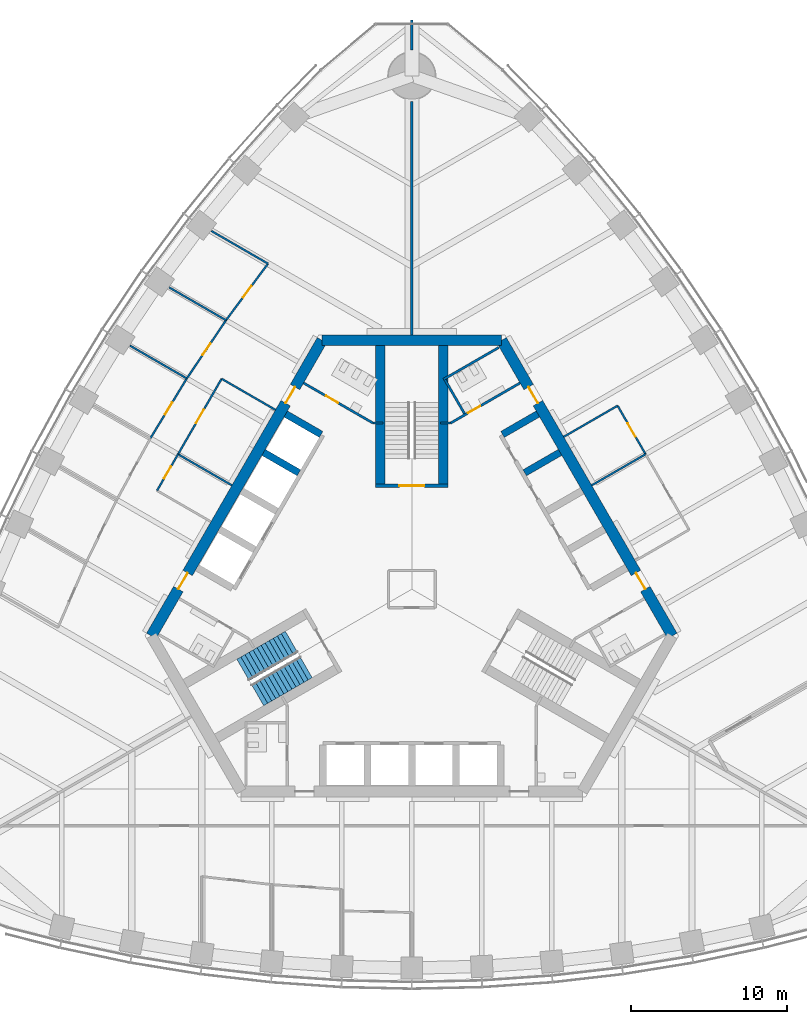
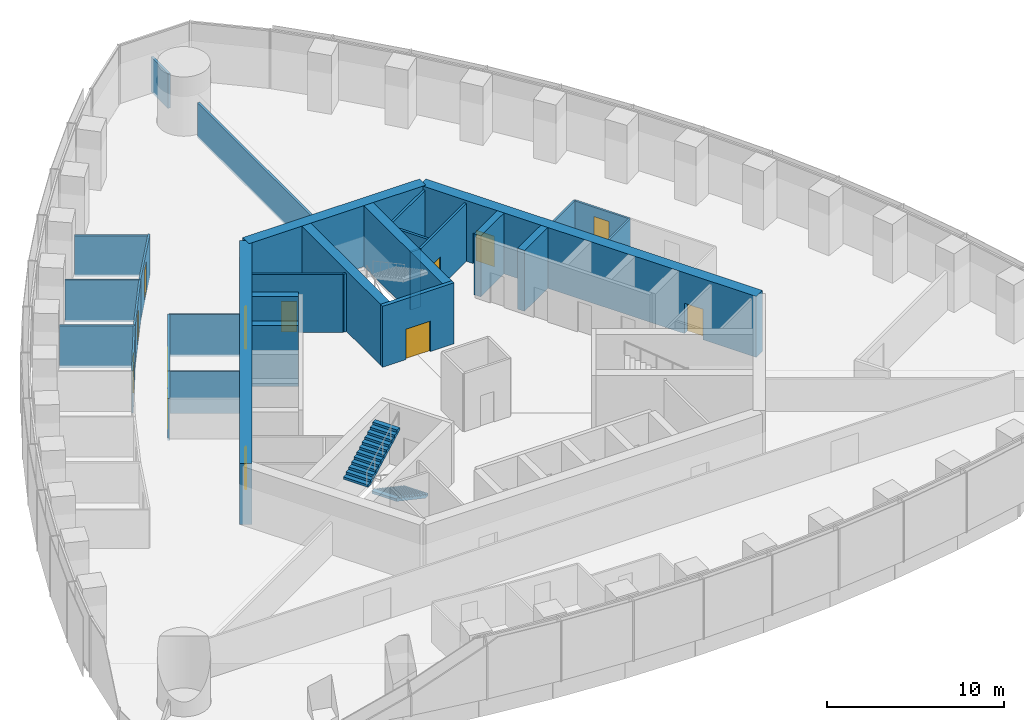
# One storey, part 13 of 19: 31 walls, 13 doors, 2 stair flights, 13 openings, 1 element without a shape of its own.
"""IFC4 building model written with IfcOpenShell, lengths in metres."""

from ifc_helpers import new_model, si_unit, direction, frame, frame_2d, origin, place, context, subcontext, project, spatial, polyline, rectangle, outline, extrude, material, layer, layer_set, type_object, element, fill, aggregate, save


model = new_model("IFC4")

# Units and contexts
model_context = context("Model", 3, precision=1e-05, world=origin(), true_north=direction((0.0, 1.0)))
body_context = subcontext(model_context, "Body", "Model", "MODEL_VIEW")
ifc_project = project(units=[si_unit("LENGTHUNIT", "METRE"), si_unit("AREAUNIT", "SQUARE_METRE"), si_unit("VOLUMEUNIT", "CUBIC_METRE"), si_unit("PLANEANGLEUNIT", "RADIAN"), si_unit("MASSUNIT", "GRAM", prefix="KILO")], contexts=[model_context])

# Site, building, storey
site_placement = place(None, origin())
site = spatial("IfcSite", under=ifc_project, at=site_placement, CompositionType="ELEMENT")
building_placement = place(site_placement, origin())
building = spatial("IfcBuilding", under=site, at=building_placement, Name="Trefoil Bronze Tower", CompositionType="ELEMENT")
storey_placement = place(building_placement, frame((0.0, 0.0, 248.5)))
storey = spatial("IfcBuildingStorey", under=building, at=storey_placement, Name="L57", CompositionType="ELEMENT", Elevation=248.5)

# Wall, openings, doors
ifc_material_1 = material(Name="Concrete B80", Category="concrete")
ifc_layer_1 = layer(ifc_material_1, 0.699951171875)
ifc_layer_set_1 = layer_set([ifc_layer_1], Name="Core wall 700")
wall_type_1 = type_object("IfcWallType", Name="Core wall 700", PredefinedType="SHEAR", material=ifc_layer_set_1)
wall_1_placement = place(storey_placement, frame((16.7431640625, -3.0, 0.0), z_axis=(0.0, 0.0, 1.0), x_axis=(-0.500002442456, 0.866023993627, 0.0)))
wall_1 = element("IfcWall", 1, at=wall_1_placement, inside=storey, type_object=wall_type_1, Name="Core long wall 2 L57", PredefinedType="SHEAR", context=body_context, shape_type="SweptSolid", body=[
    extrude(rectangle(XDim=21.939453125, YDim=0.699951171875, at=frame_2d((10.9697265625, 0.0))), origin(), (0.0, 0.0, 1.0), 4.199951171875),
])
opening_1_placement = place(wall_1_placement, frame((17.269775390625, 0.0, 0.0)))
opening_1 = element("IfcOpeningElement", 2, at=opening_1_placement, cuts=wall_1, Name="Opening D2", PredefinedType="OPENING", context=body_context, shape_type="SweptSolid", body=[
    extrude(rectangle(XDim=1.199951171875, YDim=2.10009765625, at=frame_2d((0.60009765625, 1.050048828125))), frame((0.0, 0.35986328125, 0.0), z_axis=(0.0, -1.0, 0.0), x_axis=(1.0, 0.0, 0.0)), (0.0, 0.0, 1.0), 0.719970703125),
])
opening_2_placement = place(wall_1_placement, frame((3.4697265625, 0.0, 0.0)))
opening_2 = element("IfcOpeningElement", 3, at=opening_2_placement, cuts=wall_1, Name="Opening D2", PredefinedType="OPENING", context=body_context, shape_type="SweptSolid", body=[
    extrude(rectangle(XDim=1.199951171875, YDim=2.10009765625, at=frame_2d((0.60009765625, 1.050048828125))), frame((0.0, 0.35986328125, 0.0), z_axis=(0.0, -1.0, 0.0), x_axis=(1.0, 0.0, 0.0)), (0.0, 0.0, 1.0), 0.719970703125),
])
ifc_material_2 = material(Name="Steel door", Category="steel")
door_type_1 = type_object("IfcDoorType", Name="Lobby door 1200", OperationType="SINGLE_SWING_RIGHT", PredefinedType="DOOR", material=ifc_material_2)
door_1_placement = place(opening_1_placement, origin())
door_1 = element("IfcDoor", 4, at=door_1_placement, inside=storey, type_object=door_type_1, Name="Lobby door F2+ L57", OperationType="SINGLE_SWING_RIGHT", OverallHeight=2.10009765625, OverallWidth=1.199951171875, PredefinedType="DOOR", context=body_context, shape_type="SweptSolid", body=[
    extrude(rectangle(XDim=1.199951171875, YDim=2.10009765625, at=frame_2d((0.60009765625, 1.050048828125))), frame((0.0, 0.02490234375, 0.0), z_axis=(0.0, -1.0, 0.0), x_axis=(1.0, 0.0, 0.0)), (0.0, 0.0, 1.0), 0.050048828125),
])
fill(opening_1, door_1)
door_2_placement = place(opening_2_placement, origin())
door_2 = element("IfcDoor", 5, at=door_2_placement, inside=storey, type_object=door_type_1, Name="Lobby door F2- L57", OperationType="SINGLE_SWING_LEFT", OverallHeight=2.10009765625, OverallWidth=1.199951171875, PredefinedType="DOOR", context=body_context, shape_type="SweptSolid", body=[
    extrude(rectangle(XDim=1.199951171875, YDim=2.10009765625, at=frame_2d((0.60009765625, 1.050048828125))), frame((0.0, 0.02490234375, 0.0), z_axis=(0.0, -1.0, 0.0), x_axis=(1.0, 0.0, 0.0)), (0.0, 0.0, 1.0), 0.050048828125),
])
fill(opening_2, door_2)

# Wall
wall_2_placement = place(storey_placement, frame((5.7734375, 16.0, 0.0), z_axis=(0.0, 0.0, 1.0), x_axis=(-1.0, 0.0, 0.0)))
element("IfcWall", 6, at=wall_2_placement, inside=storey, type_object=wall_type_1, Name="Core short wall 2 L57", PredefinedType="SHEAR", context=body_context, shape_type="SweptSolid", body=[
    extrude(rectangle(XDim=11.546875, YDim=0.699951171875, at=frame_2d((5.7734375, 0.0))), origin(), (0.0, 0.0, 1.0), 4.199951171875),
])

# Wall, openings, doors
wall_3_placement = place(storey_placement, frame((-5.7734375, 16.0, 0.0), z_axis=(0.0, 0.0, 1.0), x_axis=(-0.500002442456, -0.866023993627, 0.0)))
wall_3 = element("IfcWall", 7, at=wall_3_placement, inside=storey, type_object=wall_type_1, Name="Core long wall 3 L57", PredefinedType="SHEAR", context=body_context, shape_type="SweptSolid", body=[
    extrude(rectangle(XDim=21.939453125, YDim=0.699951171875, at=frame_2d((10.9697265625, 0.0))), origin(), (0.0, 0.0, 1.0), 4.199951171875),
])
opening_3_placement = place(wall_3_placement, frame((17.269775390625, 0.0, 0.0)))
opening_3 = element("IfcOpeningElement", 8, at=opening_3_placement, cuts=wall_3, Name="Opening D2", PredefinedType="OPENING", context=body_context, shape_type="SweptSolid", body=[
    extrude(rectangle(XDim=1.199951171875, YDim=2.10009765625, at=frame_2d((0.60009765625, 1.050048828125))), frame((0.0, 0.35986328125, 0.0), z_axis=(0.0, -1.0, 0.0), x_axis=(1.0, 0.0, 0.0)), (0.0, 0.0, 1.0), 0.719970703125),
])
opening_4_placement = place(wall_3_placement, frame((3.4697265625, 0.0, 0.0)))
opening_4 = element("IfcOpeningElement", 9, at=opening_4_placement, cuts=wall_3, Name="Opening D2", PredefinedType="OPENING", context=body_context, shape_type="SweptSolid", body=[
    extrude(rectangle(XDim=1.199951171875, YDim=2.10009765625, at=frame_2d((0.60009765625, 1.050048828125))), frame((0.0, 0.35986328125, 0.0), z_axis=(0.0, -1.0, 0.0), x_axis=(1.0, 0.0, 0.0)), (0.0, 0.0, 1.0), 0.719970703125),
])
door_3_placement = place(opening_3_placement, origin())
door_3 = element("IfcDoor", 10, at=door_3_placement, inside=storey, type_object=door_type_1, Name="Lobby door F3+ L57", OperationType="SINGLE_SWING_RIGHT", OverallHeight=2.10009765625, OverallWidth=1.199951171875, PredefinedType="DOOR", context=body_context, shape_type="SweptSolid", body=[
    extrude(rectangle(XDim=1.199951171875, YDim=2.10009765625, at=frame_2d((0.60009765625, 1.050048828125))), frame((0.0, 0.02490234375, 0.0), z_axis=(0.0, -1.0, 0.0), x_axis=(1.0, 0.0, 0.0)), (0.0, 0.0, 1.0), 0.050048828125),
])
fill(opening_3, door_3)
door_4_placement = place(opening_4_placement, origin())
door_4 = element("IfcDoor", 11, at=door_4_placement, inside=storey, type_object=door_type_1, Name="Lobby door F3- L57", OperationType="SINGLE_SWING_LEFT", OverallHeight=2.10009765625, OverallWidth=1.199951171875, PredefinedType="DOOR", context=body_context, shape_type="SweptSolid", body=[
    extrude(rectangle(XDim=1.199951171875, YDim=2.10009765625, at=frame_2d((0.60009765625, 1.050048828125))), frame((0.0, 0.02490234375, 0.0), z_axis=(0.0, -1.0, 0.0), x_axis=(1.0, 0.0, 0.0)), (0.0, 0.0, 1.0), 0.050048828125),
])
fill(opening_4, door_4)

# Wall, opening, door
ifc_material_3 = material(Name="Glazed partition", Category="glass")
ifc_layer_2 = layer(ifc_material_3, 0.1201171875)
ifc_layer_set_2 = layer_set([ifc_layer_2], Name="Glazed partition 120")
wall_type_2 = type_object("IfcWallType", Name="Glazed partition 120", PredefinedType="PARTITIONING", material=ifc_layer_set_2)
wall_4_placement = place(storey_placement, frame((15.025634765625, 8.675048828125, 0.0), z_axis=(0.0, 0.0, 1.0), x_axis=(-0.500012057535, 0.866018442252, 0.0)))
wall_4 = element("IfcWall", 12, at=wall_4_placement, inside=storey, type_object=wall_type_2, Name="Partition F2 L57", PredefinedType="PARTITIONING", context=body_context, shape_type="SweptSolid", body=[
    extrude(rectangle(XDim=3.60009765625, YDim=0.1201171875, at=frame_2d((1.800048828125, 0.0))), origin(), (0.0, 0.0, 1.0), 2.89990234375),
])
opening_5_placement = place(wall_4_placement, frame((1.300048828125, 0.0, 0.14990234375)))
opening_5 = element("IfcOpeningElement", 13, at=opening_5_placement, cuts=wall_4, Name="Opening D9", PredefinedType="OPENING", context=body_context, shape_type="SweptSolid", body=[
    extrude(rectangle(XDim=1.0, YDim=2.10009765625, at=frame_2d((0.5, 1.050048828125))), frame((0.0, 0.070068359375, 0.0), z_axis=(0.0, -1.0, 0.0), x_axis=(1.0, 0.0, 0.0)), (0.0, 0.0, 1.0), 0.14013671875),
])
ifc_material_4 = material(Name="Glazed timber door", Category="wood")
door_type_2 = type_object("IfcDoorType", Name="Meeting room door 1000", OperationType="SINGLE_SWING_LEFT", PredefinedType="DOOR", material=ifc_material_4)
door_5_placement = place(opening_5_placement, origin())
door_5 = element("IfcDoor", 14, at=door_5_placement, inside=storey, type_object=door_type_2, Name="Meeting room door F2 L57", OperationType="SINGLE_SWING_LEFT", OverallHeight=2.10009765625, OverallWidth=1.0, PredefinedType="DOOR", context=body_context, shape_type="SweptSolid", body=[
    extrude(rectangle(XDim=1.0, YDim=2.10009765625, at=frame_2d((0.5, 1.050048828125))), frame((0.0, 0.02490234375, 0.0), z_axis=(0.0, -1.0, 0.0), x_axis=(1.0, 0.0, 0.0)), (0.0, 0.0, 1.0), 0.050048828125),
])
fill(opening_5, door_5)

# Walls
for number, where, z_axis, x_axis, name in (
    (15, (9.761474609375, 9.792724609375, 0.0), (0.0, 0.0, 1.0), (0.866026010844, 0.49999894854, 0.0), "Partition F2 L57"),
    (16, (11.5615234375, 6.675048828125, 0.0), (0.0, 0.0, 1.0), (0.866026010844, 0.49999894854, 0.0), "Partition F2 L57"),
):
    element("IfcWall", number, at=place(storey_placement, frame(where, z_axis=z_axis, x_axis=x_axis)), inside=storey, type_object=wall_type_2, Name=name, PredefinedType="PARTITIONING", context=body_context, shape_type="SweptSolid", body=[
        extrude(rectangle(XDim=4.0, YDim=0.1201171875, at=frame_2d((2.0, 0.0))), origin(), (0.0, 0.0, 1.0), 2.89990234375),
    ])

# Wall, opening, door
wall_5_placement = place(storey_placement, frame((-15.025634765625, 8.675048828125, 0.0), z_axis=(0.0, 0.0, 1.0), x_axis=(-0.4999416173, -0.866059108428, 0.0)))
wall_5 = element("IfcWall", 17, at=wall_5_placement, inside=storey, type_object=wall_type_2, Name="Partition F3 L57", PredefinedType="PARTITIONING", context=body_context, shape_type="SweptSolid", body=[
    extrude(rectangle(XDim=2.699951171875, YDim=0.1201171875, at=frame_2d((1.35009765625, 0.0))), origin(), (0.0, 0.0, 1.0), 2.89990234375),
])
opening_6_placement = place(wall_5_placement, frame((0.89990234375, 0.0, 0.14990234375)))
opening_6 = element("IfcOpeningElement", 18, at=opening_6_placement, cuts=wall_5, Name="Opening D8", PredefinedType="OPENING", context=body_context, shape_type="SweptSolid", body=[
    extrude(rectangle(XDim=0.89990234375, YDim=2.10009765625, at=frame_2d((0.449951171875, 1.050048828125))), frame((0.0, 0.070068359375, 0.0), z_axis=(0.0, -1.0, 0.0), x_axis=(1.0, 0.0, 0.0)), (0.0, 0.0, 1.0), 0.14013671875),
])
ifc_material_5 = material(Name="Timber door", Category="wood")
door_type_3 = type_object("IfcDoorType", Name="Office door 900", OperationType="SINGLE_SWING_LEFT", PredefinedType="DOOR", material=ifc_material_5)
door_6_placement = place(opening_6_placement, origin())
door_6 = element("IfcDoor", 19, at=door_6_placement, inside=storey, type_object=door_type_3, Name="Pantry door F3 L57", OperationType="SINGLE_SWING_RIGHT", OverallHeight=2.10009765625, OverallWidth=0.89990234375, PredefinedType="DOOR", context=body_context, shape_type="SweptSolid", body=[
    extrude(rectangle(XDim=0.89990234375, YDim=2.10009765625, at=frame_2d((0.449951171875, 1.050048828125))), frame((0.0, 0.02490234375, 0.0), z_axis=(0.0, -1.0, 0.0), x_axis=(1.0, 0.0, 0.0)), (0.0, 0.0, 1.0), 0.050048828125),
])
fill(opening_6, door_6)

wall_6_placement = place(storey_placement, frame((-12.2255859375, 13.524658203125, 0.0), z_axis=(0.0, 0.0, 1.0), x_axis=(-0.500016814911, -0.866015695474, 0.0)))
wall_6 = element("IfcWall", 20, at=wall_6_placement, inside=storey, type_object=wall_type_2, Name="Partition F3 L57", PredefinedType="PARTITIONING", context=body_context, shape_type="SweptSolid", body=[
    extrude(rectangle(XDim=5.599853515625, YDim=0.1201171875, at=frame_2d((2.7998046875, 0.0))), origin(), (0.0, 0.0, 1.0), 2.89990234375),
])
opening_7_placement = place(wall_6_placement, frame((2.300048828125, 0.0, 0.14990234375)))
opening_7 = element("IfcOpeningElement", 21, at=opening_7_placement, cuts=wall_6, Name="Opening D9", PredefinedType="OPENING", context=body_context, shape_type="SweptSolid", body=[
    extrude(rectangle(XDim=1.0, YDim=2.10009765625, at=frame_2d((0.5, 1.050048828125))), frame((0.0, 0.070068359375, 0.0), z_axis=(0.0, -1.0, 0.0), x_axis=(1.0, 0.0, 0.0)), (0.0, 0.0, 1.0), 0.14013671875),
])
door_7_placement = place(opening_7_placement, origin())
door_7 = element("IfcDoor", 22, at=door_7_placement, inside=storey, type_object=door_type_2, Name="Meeting room door F3 L57", OperationType="SINGLE_SWING_RIGHT", OverallHeight=2.10009765625, OverallWidth=1.0, PredefinedType="DOOR", context=body_context, shape_type="SweptSolid", body=[
    extrude(rectangle(XDim=1.0, YDim=2.10009765625, at=frame_2d((0.5, 1.050048828125))), frame((0.0, 0.02490234375, 0.0), z_axis=(0.0, -1.0, 0.0), x_axis=(1.0, 0.0, 0.0)), (0.0, 0.0, 1.0), 0.050048828125),
])
fill(opening_7, door_7)

# Walls
for number, where, z_axis, x_axis, name in (
    (23, (-11.5615234375, 6.675048828125, 0.0), (0.0, 0.0, 1.0), (-0.866026010844, 0.49999894854, 0.0), "Partition F3 L57"),
    (24, (-8.761474609375, 11.524658203125, 0.0), (0.0, 0.0, 1.0), (-0.866026010844, 0.49999894854, 0.0), "Partition F3 L57"),
):
    element("IfcWall", number, at=place(storey_placement, frame(where, z_axis=z_axis, x_axis=x_axis)), inside=storey, type_object=wall_type_2, Name=name, PredefinedType="PARTITIONING", context=body_context, shape_type="SweptSolid", body=[
        extrude(rectangle(XDim=4.0, YDim=0.1201171875, at=frame_2d((2.0, 0.0))), origin(), (0.0, 0.0, 1.0), 2.89990234375),
    ])

# Wall, opening, door
wall_7_placement = place(storey_placement, frame((-9.2421875, 20.92431640625, 0.0), z_axis=(0.0, 0.0, 1.0), x_axis=(-0.59613842716, -0.802881669777, 0.0)))
wall_7 = element("IfcWall", 25, at=wall_7_placement, inside=storey, type_object=wall_type_2, Name="Partition F3 L57", PredefinedType="PARTITIONING", context=body_context, shape_type="SweptSolid", body=[
    extrude(rectangle(XDim=4.52978515625, YDim=0.1201171875, at=frame_2d((2.264892578125, 0.0))), origin(), (0.0, 0.0, 1.0), 2.89990234375),
])
opening_8_placement = place(wall_7_placement, frame((1.800048828125, 0.0, 0.14990234375)))
opening_8 = element("IfcOpeningElement", 26, at=opening_8_placement, cuts=wall_7, Name="Opening D8", PredefinedType="OPENING", context=body_context, shape_type="SweptSolid", body=[
    extrude(rectangle(XDim=0.89990234375, YDim=2.10009765625, at=frame_2d((0.449951171875, 1.050048828125))), frame((0.0, 0.070068359375, 0.0), z_axis=(0.0, -1.0, 0.0), x_axis=(1.0, 0.0, 0.0)), (0.0, 0.0, 1.0), 0.14013671875),
])
door_8_placement = place(opening_8_placement, frame((0.89990234375, 0.0, 0.0), z_axis=(0.0, 0.0, 1.0), x_axis=(-1.0, 0.0, 0.0)))
door_8 = element("IfcDoor", 27, at=door_8_placement, inside=storey, type_object=door_type_3, Name="Office door F3 L57", OperationType="SINGLE_SWING_RIGHT", OverallHeight=2.10009765625, OverallWidth=0.89990234375, PredefinedType="DOOR", context=body_context, shape_type="SweptSolid", body=[
    extrude(rectangle(XDim=0.89990234375, YDim=2.10009765625, at=frame_2d((0.449951171875, 1.050048828125))), frame((0.0, 0.02490234375, 0.0), z_axis=(0.0, -1.0, 0.0), x_axis=(1.0, 0.0, 0.0)), (0.0, 0.0, 1.0), 0.050048828125),
])
fill(opening_8, door_8)

wall_8_placement = place(storey_placement, frame((-14.4619140625, 13.545654296875, 0.0), z_axis=(0.0, 0.0, 1.0), x_axis=(-0.519790350351, -0.85429385558, 0.0)))
wall_8 = element("IfcWall", 28, at=wall_8_placement, inside=storey, type_object=wall_type_2, Name="Partition F3 L57", PredefinedType="PARTITIONING", context=body_context, shape_type="SweptSolid", body=[
    extrude(rectangle(XDim=4.5009765625, YDim=0.1201171875, at=frame_2d((2.25048828125, 0.0))), origin(), (0.0, 0.0, 1.0), 2.89990234375),
])
opening_9_placement = place(wall_8_placement, frame((1.800048828125, 0.0, 0.14990234375)))
opening_9 = element("IfcOpeningElement", 29, at=opening_9_placement, cuts=wall_8, Name="Opening D8", PredefinedType="OPENING", context=body_context, shape_type="SweptSolid", body=[
    extrude(rectangle(XDim=0.89990234375, YDim=2.10009765625, at=frame_2d((0.449951171875, 1.050048828125))), frame((0.0, 0.070068359375, 0.0), z_axis=(0.0, -1.0, 0.0), x_axis=(1.0, 0.0, 0.0)), (0.0, 0.0, 1.0), 0.14013671875),
])
door_9_placement = place(opening_9_placement, frame((0.89990234375, 0.0, 0.0), z_axis=(0.0, 0.0, 1.0), x_axis=(-1.0, 0.0, 0.0)))
door_9 = element("IfcDoor", 30, at=door_9_placement, inside=storey, type_object=door_type_3, Name="Office door F3 L57", OperationType="SINGLE_SWING_RIGHT", OverallHeight=2.10009765625, OverallWidth=0.89990234375, PredefinedType="DOOR", context=body_context, shape_type="SweptSolid", body=[
    extrude(rectangle(XDim=0.89990234375, YDim=2.10009765625, at=frame_2d((0.449951171875, 1.050048828125))), frame((0.0, 0.02490234375, 0.0), z_axis=(0.0, -1.0, 0.0), x_axis=(1.0, 0.0, 0.0)), (0.0, 0.0, 1.0), 0.050048828125),
])
fill(opening_9, door_9)

wall_9_placement = place(storey_placement, frame((-11.942626953125, 17.287353515625, 0.0), z_axis=(0.0, 0.0, 1.0), x_axis=(-0.55850386778, -0.829501916619, 0.0)))
wall_9 = element("IfcWall", 31, at=wall_9_placement, inside=storey, type_object=wall_type_2, Name="Partition F3 L57", PredefinedType="PARTITIONING", context=body_context, shape_type="SweptSolid", body=[
    extrude(rectangle(XDim=4.5107421875, YDim=0.1201171875, at=frame_2d((2.25537109375, 0.0))), origin(), (0.0, 0.0, 1.0), 2.89990234375),
])
opening_10_placement = place(wall_9_placement, frame((1.800048828125, 0.0, 0.14990234375)))
opening_10 = element("IfcOpeningElement", 32, at=opening_10_placement, cuts=wall_9, Name="Opening D8", PredefinedType="OPENING", context=body_context, shape_type="SweptSolid", body=[
    extrude(rectangle(XDim=0.89990234375, YDim=2.10009765625, at=frame_2d((0.449951171875, 1.050048828125))), frame((0.0, 0.070068359375, 0.0), z_axis=(0.0, -1.0, 0.0), x_axis=(1.0, 0.0, 0.0)), (0.0, 0.0, 1.0), 0.14013671875),
])
door_10_placement = place(opening_10_placement, frame((0.89990234375, 0.0, 0.0), z_axis=(0.0, 0.0, 1.0), x_axis=(-1.0, 0.0, 0.0)))
door_10 = element("IfcDoor", 33, at=door_10_placement, inside=storey, type_object=door_type_3, Name="Office door F3 L57", OperationType="SINGLE_SWING_RIGHT", OverallHeight=2.10009765625, OverallWidth=0.89990234375, PredefinedType="DOOR", context=body_context, shape_type="SweptSolid", body=[
    extrude(rectangle(XDim=0.89990234375, YDim=2.10009765625, at=frame_2d((0.449951171875, 1.050048828125))), frame((0.0, 0.02490234375, 0.0), z_axis=(0.0, -1.0, 0.0), x_axis=(1.0, 0.0, 0.0)), (0.0, 0.0, 1.0), 0.050048828125),
])
fill(opening_10, door_10)

# Walls
wall_10_placement = place(storey_placement, frame((-9.2421875, 20.92431640625, 0.0), z_axis=(0.0, 0.0, 1.0), x_axis=(-0.866008660113, 0.500028999769, 0.0)))
element("IfcWall", 34, at=wall_10_placement, inside=storey, type_object=wall_type_2, Name="Partition F3 L57", PredefinedType="PARTITIONING", context=body_context, shape_type="SweptSolid", body=[
    extrude(rectangle(XDim=4.205322265625, YDim=0.1201171875, at=frame_2d((2.1025390625, 0.0))), origin(), (0.0, 0.0, 1.0), 2.800048828125),
])
wall_11_placement = place(storey_placement, frame((-14.4619140625, 13.545654296875, 0.0), z_axis=(0.0, 0.0, 1.0), x_axis=(-0.866012107475, 0.500023029176, 0.0)))
element("IfcWall", 35, at=wall_11_placement, inside=storey, type_object=wall_type_2, Name="Partition F3 L57", PredefinedType="PARTITIONING", context=body_context, shape_type="SweptSolid", body=[
    extrude(rectangle(XDim=4.218505859375, YDim=0.1201171875, at=frame_2d((2.109375, 0.0))), origin(), (0.0, 0.0, 1.0), 2.89990234375),
])
wall_12_placement = place(storey_placement, frame((-11.942626953125, 17.287353515625, 0.0), z_axis=(0.0, 0.0, 1.0), x_axis=(-0.866016734951, 0.50001501456, 0.0)))
element("IfcWall", 36, at=wall_12_placement, inside=storey, type_object=wall_type_2, Name="Partition F3 L57", PredefinedType="PARTITIONING", context=body_context, shape_type="SweptSolid", body=[
    extrude(rectangle(XDim=4.213623046875, YDim=0.1201171875, at=frame_2d((2.10693359375, 0.0))), origin(), (0.0, 0.0, 1.0), 2.89990234375),
])
ifc_material_6 = material(Name="Concrete B80", Category="concrete")
ifc_layer_3 = layer(ifc_material_6, 0.449951171875)
ifc_layer_set_3 = layer_set([ifc_layer_3], Name="Outrigger shaft wall 450")
wall_type_3 = type_object("IfcWallType", Name="Outrigger shaft wall 450", PredefinedType="SHEAR", material=ifc_layer_set_3)
for number, where, z_axis, x_axis, name in (
    (37, (7.2568359375, 7.480712890625, 0.0), (0.0, 0.0, 1.0), (0.866036909293, 0.499980071345, 0.0), "Lift shaft side wall B3 L57"),
    (38, (5.831787109375, 9.94873046875, 0.0), (0.0, 0.0, 1.0), (0.866036909293, 0.499980071345, 0.0), "Lift shaft side wall B4 L57"),
    (39, (-5.831787109375, 9.94873046875, 0.0), (0.0, 0.0, 1.0), (-0.866036909293, 0.499980071345, 0.0), "Lift shaft side wall C0 L57"),
    (40, (-7.2568359375, 7.480712890625, 0.0), (0.0, 0.0, 1.0), (-0.866036909293, 0.499980071345, 0.0), "Lift shaft side wall C1 L57"),
):
    element("IfcWall", number, at=place(storey_placement, frame(where, z_axis=z_axis, x_axis=x_axis)), inside=storey, type_object=wall_type_3, Name=name, PredefinedType="SHEAR", context=body_context, shape_type="SweptSolid", body=[
        extrude(rectangle(XDim=2.625, YDim=0.449951171875, at=frame_2d((1.3125, 0.0))), origin(), (0.0, 0.0, 1.0), 4.199951171875),
    ])

# Wall, opening, door
ifc_material_7 = material(Name="Gypsum board on steel studs", Category="steel")
ifc_layer_4 = layer(ifc_material_7, 0.14990234375)
ifc_layer_set_4 = layer_set([ifc_layer_4], Name="Partition 150")
wall_type_4 = type_object("IfcWallType", Name="Partition 150", PredefinedType="PARTITIONING", material=ifc_layer_set_4)
wall_13_placement = place(storey_placement, frame((2.4951171875, 10.67822265625, 0.0), z_axis=(0.0, 0.0, 1.0), x_axis=(0.866037967349, 0.499978238636, 0.0)))
wall_13 = element("IfcWall", 41, at=wall_13_placement, inside=storey, type_object=wall_type_4, Name="Passage wall F2+ L57", PredefinedType="PARTITIONING", context=body_context, shape_type="SweptSolid", body=[
    extrude(rectangle(XDim=5.150146484375, YDim=0.14990234375, at=frame_2d((2.5751953125, 0.0))), origin(), (0.0, 0.0, 1.0), 4.0),
])
opening_11_placement = place(wall_13_placement, frame((1.300048828125, 0.0, 0.0)))
opening_11 = element("IfcOpeningElement", 42, at=opening_11_placement, cuts=wall_13, Name="Opening D3", PredefinedType="OPENING", context=body_context, shape_type="SweptSolid", body=[
    extrude(rectangle(XDim=0.89990234375, YDim=2.10009765625, at=frame_2d((0.449951171875, 1.050048828125))), frame((0.0, 0.0849609375, 0.0), z_axis=(0.0, -1.0, 0.0), x_axis=(1.0, 0.0, 0.0)), (0.0, 0.0, 1.0), 0.169921875),
])
ifc_material_8 = material(Name="Timber door", Category="wood")
door_type_4 = type_object("IfcDoorType", Name="WC door 900", OperationType="SINGLE_SWING_LEFT", PredefinedType="DOOR", material=ifc_material_8)
door_11_placement = place(opening_11_placement, origin())
door_11 = element("IfcDoor", 43, at=door_11_placement, inside=storey, type_object=door_type_4, Name="WC (men) door L57", OperationType="SINGLE_SWING_LEFT", OverallHeight=2.10009765625, OverallWidth=0.89990234375, PredefinedType="DOOR", context=body_context, shape_type="SweptSolid", body=[
    extrude(rectangle(XDim=0.89990234375, YDim=2.10009765625, at=frame_2d((0.449951171875, 1.050048828125))), frame((0.0, 0.02490234375, 0.0), z_axis=(0.0, -1.0, 0.0), x_axis=(1.0, 0.0, 0.0)), (0.0, 0.0, 1.0), 0.050048828125),
])
fill(opening_11, door_11)

wall_14_placement = place(storey_placement, frame((-2.4951171875, 10.67822265625, 0.0), z_axis=(0.0, 0.0, 1.0), x_axis=(-0.866037967349, 0.499978238636, 0.0)))
wall_14 = element("IfcWall", 44, at=wall_14_placement, inside=storey, type_object=wall_type_4, Name="Passage wall F3- L57", PredefinedType="PARTITIONING", context=body_context, shape_type="SweptSolid", body=[
    extrude(rectangle(XDim=5.150146484375, YDim=0.14990234375, at=frame_2d((2.5751953125, 0.0))), origin(), (0.0, 0.0, 1.0), 4.0),
])
opening_12_placement = place(wall_14_placement, frame((2.60009765625, 0.0, 0.0)))
opening_12 = element("IfcOpeningElement", 45, at=opening_12_placement, cuts=wall_14, Name="Opening D3", PredefinedType="OPENING", context=body_context, shape_type="SweptSolid", body=[
    extrude(rectangle(XDim=0.89990234375, YDim=2.10009765625, at=frame_2d((0.449951171875, 1.050048828125))), frame((0.0, 0.0849609375, 0.0), z_axis=(0.0, -1.0, 0.0), x_axis=(1.0, 0.0, 0.0)), (0.0, 0.0, 1.0), 0.169921875),
])
door_12_placement = place(opening_12_placement, frame((0.89990234375, 0.0, 0.0), z_axis=(0.0, 0.0, 1.0), x_axis=(-1.0, 0.0, 0.0)))
door_12 = element("IfcDoor", 46, at=door_12_placement, inside=storey, type_object=door_type_4, Name="WC (women) door L57", OperationType="SINGLE_SWING_LEFT", OverallHeight=2.10009765625, OverallWidth=0.89990234375, PredefinedType="DOOR", context=body_context, shape_type="SweptSolid", body=[
    extrude(rectangle(XDim=0.89990234375, YDim=2.10009765625, at=frame_2d((0.449951171875, 1.050048828125))), frame((0.0, 0.02490234375, 0.0), z_axis=(0.0, -1.0, 0.0), x_axis=(1.0, 0.0, 0.0)), (0.0, 0.0, 1.0), 0.050048828125),
])
fill(opening_12, door_12)

# Walls
for number, where, z_axis, x_axis, name in (
    (47, (2.4951171875, 10.67822265625, 0.0), (0.0, 0.0, 1.0), (-1.0, 0.0, 0.0), "WC wall ST2-1 L57"),
    (48, (-2.4951171875, 10.67822265625, 0.0), (0.0, 0.0, 1.0), (1.0, 0.0, 0.0), "WC wall ST2+1 L57"),
):
    element("IfcWall", number, at=place(storey_placement, frame(where, z_axis=z_axis, x_axis=x_axis)), inside=storey, type_object=wall_type_4, Name=name, PredefinedType="PARTITIONING", context=body_context, shape_type="SweptSolid", body=[
        extrude(rectangle(XDim=0.64501953125, YDim=0.14990234375, at=frame_2d((0.322509765625, 0.0))), origin(), (0.0, 0.0, 1.0), 4.0),
    ])
wall_15_placement = place(storey_placement, frame((2.03125, 13.48193359375, 0.0), z_axis=(0.0, 0.0, 1.0), x_axis=(0.866050731258, 0.499956128963, 0.0)))
element("IfcWall", 49, at=wall_15_placement, inside=storey, type_object=wall_type_4, Name="WC partition WC (men) L57", PredefinedType="PARTITIONING", context=body_context, shape_type="SweptSolid", body=[
    extrude(rectangle(XDim=4.099853515625, YDim=0.14990234375, at=frame_2d((2.0498046875, 0.0))), origin(), (0.0, 0.0, 1.0), 4.0),
])
wall_16_placement = place(storey_placement, frame((3.388671875, 11.28076171875, 0.0), z_axis=(0.0, 0.0, 1.0), x_axis=(-0.499989096993, 0.866031698547, 0.0)))
element("IfcWall", 50, at=wall_16_placement, inside=storey, type_object=wall_type_4, Name="WC partition WC (men) L57", PredefinedType="PARTITIONING", context=body_context, shape_type="SweptSolid", body=[
    extrude(rectangle(XDim=2.509765625, YDim=0.14990234375, at=frame_2d((1.2548828125, 0.0))), origin(), (0.0, 0.0, 1.0), 4.0),
])
ifc_material_9 = material(Name="Gypsum board on steel studs", Category="steel")
ifc_layer_5 = layer(ifc_material_9, 0.14990234375)
ifc_layer_set_5 = layer_set([ifc_layer_5], Name="Party wall 150")
wall_type_5 = type_object("IfcWallType", Name="Party wall 150", PredefinedType="PARTITIONING", material=ifc_layer_set_5)
wall_17_placement = place(storey_placement, frame((0.0, 16.35009765625, 0.0), z_axis=(0.0, 0.0, 1.0), x_axis=(0.0, 1.0, 0.0)))
element("IfcWall", 51, at=wall_17_placement, inside=storey, type_object=wall_type_5, Name="Party wall K2 L57", PredefinedType="PARTITIONING", context=body_context, shape_type="SweptSolid", body=[
    extrude(rectangle(XDim=15.0, YDim=0.14990234375, at=frame_2d((7.5, 0.0))), origin(), (0.0, 0.0, 1.0), 2.39990234375),
])
wall_18_placement = place(storey_placement, frame((0.0, 34.64990234375, 0.0), z_axis=(0.0, 0.0, 1.0), x_axis=(0.0, 1.0, 0.0)))
element("IfcWall", 52, at=wall_18_placement, inside=storey, type_object=wall_type_5, Name="Party wall K2 L57", PredefinedType="PARTITIONING", context=body_context, shape_type="SweptSolid", body=[
    extrude(rectangle(XDim=1.934814453125, YDim=0.14990234375, at=frame_2d((0.96728515625, 0.0))), origin(), (0.0, 0.0, 1.0), 2.39990234375),
])

# Wall, opening, door
ifc_material_10 = material(Name="Concrete B80", Category="concrete")
ifc_layer_6 = layer(ifc_material_10, 0.25)
ifc_layer_set_6 = layer_set([ifc_layer_6], Name="Shaft wall 250")
wall_type_6 = type_object("IfcWallType", Name="Shaft wall 250", PredefinedType="SHEAR", material=ifc_layer_set_6)
wall_19_placement = place(storey_placement, frame((2.324951171875, 6.64990234375, 0.0), z_axis=(0.0, 0.0, 1.0), x_axis=(-1.0, 0.0, 0.0)))
wall_19 = element("IfcWall", 53, at=wall_19_placement, inside=storey, type_object=wall_type_6, Name="Stair end wall ST2 L57", PredefinedType="SHEAR", context=body_context, shape_type="SweptSolid", body=[
    extrude(rectangle(XDim=4.64990234375, YDim=0.25, at=frame_2d((2.324951171875, 0.0))), origin(), (0.0, 0.0, 1.0), 4.199951171875),
])
opening_13_placement = place(wall_19_placement, frame((1.52490234375, 0.0, 0.0)))
opening_13 = element("IfcOpeningElement", 54, at=opening_13_placement, cuts=wall_19, Name="Opening D1", PredefinedType="OPENING", context=body_context, shape_type="SweptSolid", body=[
    extrude(rectangle(XDim=1.60009765625, YDim=2.10009765625, at=frame_2d((0.800048828125, 1.050048828125))), frame((0.0, 0.135009765625, 0.0), z_axis=(0.0, -1.0, 0.0), x_axis=(1.0, 0.0, 0.0)), (0.0, 0.0, 1.0), 0.27001953125),
])
ifc_material_11 = material(Name="Steel door", Category="steel")
door_type_5 = type_object("IfcDoorType", Name="Stair door 1600", OperationType="DOUBLE_DOOR_SINGLE_SWING", PredefinedType="DOOR", material=ifc_material_11)
door_13_placement = place(opening_13_placement, frame((1.60009765625, 0.0, 0.0), z_axis=(0.0, 0.0, 1.0), x_axis=(-1.0, 0.0, 0.0)))
door_13 = element("IfcDoor", 55, at=door_13_placement, inside=storey, type_object=door_type_5, Name="Stair door ST2 L57", OperationType="DOUBLE_DOOR_SINGLE_SWING", OverallHeight=2.10009765625, OverallWidth=1.60009765625, PredefinedType="DOOR", context=body_context, shape_type="SweptSolid", body=[
    extrude(rectangle(XDim=1.60009765625, YDim=2.10009765625, at=frame_2d((0.800048828125, 1.050048828125))), frame((0.0, 0.02490234375, 0.0), z_axis=(0.0, -1.0, 0.0), x_axis=(1.0, 0.0, 0.0)), (0.0, 0.0, 1.0), 0.050048828125),
])
fill(opening_13, door_13)

# Walls
ifc_material_12 = material(Name="Concrete B80", Category="concrete")
ifc_layer_7 = layer(ifc_material_12, 0.60009765625)
ifc_layer_set_7 = layer_set([ifc_layer_7], Name="Stair wall 600")
wall_type_7 = type_object("IfcWallType", Name="Stair wall 600", PredefinedType="SHEAR", material=ifc_layer_set_7)
for number, where, z_axis, x_axis, name in (
    (56, (2.02490234375, 6.52490234375, 0.0), (0.0, 0.0, 1.0), (0.0, 1.0, 0.0), "Stair wall ST2 L57"),
    (57, (-2.02490234375, 6.52490234375, 0.0), (0.0, 0.0, 1.0), (0.0, 1.0, 0.0), "Stair wall ST2 L57"),
):
    element("IfcWall", number, at=place(storey_placement, frame(where, z_axis=z_axis, x_axis=x_axis)), inside=storey, type_object=wall_type_7, Name=name, PredefinedType="SHEAR", context=body_context, shape_type="SweptSolid", body=[
        extrude(rectangle(XDim=9.125, YDim=0.60009765625, at=frame_2d((4.5625, 0.0))), origin(), (0.0, 0.0, 1.0), 4.199951171875),
    ])

# Stair, stair flights
ifc_material_13 = material(Name="Precast concrete B80", Category="concrete")
stair_type = type_object("IfcStairType", Name="Exit stair 26 risers", PredefinedType="HALF_TURN_STAIR", material=ifc_material_13)
stair_placement = place(storey_placement, origin())
stair = element("IfcStair", 58, at=stair_placement, inside=storey, type_object=stair_type, Name="Stair ST3 L57", PredefinedType="HALF_TURN_STAIR")
ifc_material_14 = material(Name="Precast concrete B80", Category="concrete")
stair_flight_type = type_object("IfcStairFlightType", Name="Stair flight 1600", PredefinedType="STRAIGHT", material=ifc_material_14)
stair_flight_1_placement = place(storey_placement, frame((-6.803466796875, -4.99609375, 0.0), z_axis=(0.0, 0.0, 1.0), x_axis=(-0.866025403784, -0.5, 0.0)))
stair_flight_1 = element("IfcStairFlight", 59, at=stair_flight_1_placement, type_object=stair_flight_type, Name="ST3 flight 1", NumberOfRisers=13, NumberOfTreads=12, PredefinedType="STRAIGHT", RiserHeight=0.161538462, TreadLength=0.3, context=body_context, shape_type="SweptSolid", body=[
    extrude(outline(polyline([(0.0, 0.0), (0.0, 0.16162109375), (0.300048828125, 0.16162109375), (0.300048828125, 0.322998046875), (0.60009765625, 0.322998046875), (0.60009765625, 0.484619140625), (0.89990234375, 0.484619140625), (0.89990234375, 0.646240234375), (1.199951171875, 0.646240234375), (1.199951171875, 0.8076171875), (1.5, 0.8076171875), (1.5, 0.96923828125), (1.800048828125, 0.96923828125), (1.800048828125, 1.130859375), (2.10009765625, 1.130859375), (2.10009765625, 1.292236328125), (2.39990234375, 1.292236328125), (2.39990234375, 1.453857421875), (2.699951171875, 1.453857421875), (2.699951171875, 1.615478515625), (3.0, 1.615478515625), (3.0, 1.77685546875), (3.300048828125, 1.77685546875), (3.300048828125, 1.9384765625), (3.60009765625, 1.9384765625), (3.60009765625, 2.10009765625), (3.60009765625, 1.768310546875), (0.316162109375, 0.0), (0.0, 0.0)])), frame((0.0, 0.800048828125, 0.0), z_axis=(0.0, -1.0, 0.0), x_axis=(1.0, 0.0, 0.0)), (0.0, 0.0, 1.0), 1.60009765625),
])
stair_flight_2_placement = place(storey_placement, frame((-10.84619140625, -5.19384765625, 2.10009765625), z_axis=(0.0, 0.0, 1.0), x_axis=(0.866025403784, 0.5, 0.0)))
stair_flight_2 = element("IfcStairFlight", 60, at=stair_flight_2_placement, type_object=stair_flight_type, Name="ST3 flight 2", NumberOfRisers=13, NumberOfTreads=12, PredefinedType="STRAIGHT", RiserHeight=0.161538462, TreadLength=0.3, context=body_context, shape_type="SweptSolid", body=[
    extrude(outline(polyline([(0.0, 0.0), (0.0, 0.16162109375), (0.300048828125, 0.16162109375), (0.300048828125, 0.322998046875), (0.60009765625, 0.322998046875), (0.60009765625, 0.484619140625), (0.89990234375, 0.484619140625), (0.89990234375, 0.646240234375), (1.199951171875, 0.646240234375), (1.199951171875, 0.8076171875), (1.5, 0.8076171875), (1.5, 0.96923828125), (1.800048828125, 0.96923828125), (1.800048828125, 1.130859375), (2.10009765625, 1.130859375), (2.10009765625, 1.292236328125), (2.39990234375, 1.292236328125), (2.39990234375, 1.453857421875), (2.699951171875, 1.453857421875), (2.699951171875, 1.615478515625), (3.0, 1.615478515625), (3.0, 1.77685546875), (3.300048828125, 1.77685546875), (3.300048828125, 1.9384765625), (3.60009765625, 1.9384765625), (3.60009765625, 2.10009765625), (3.60009765625, 1.768310546875), (0.316162109375, 0.0), (0.0, 0.0)])), frame((0.0, 0.800048828125, 0.0), z_axis=(0.0, -1.0, 0.0), x_axis=(1.0, 0.0, 0.0)), (0.0, 0.0, 1.0), 1.60009765625),
])
aggregate(stair, [stair_flight_1, stair_flight_2])

save(model, "model.ifc")
